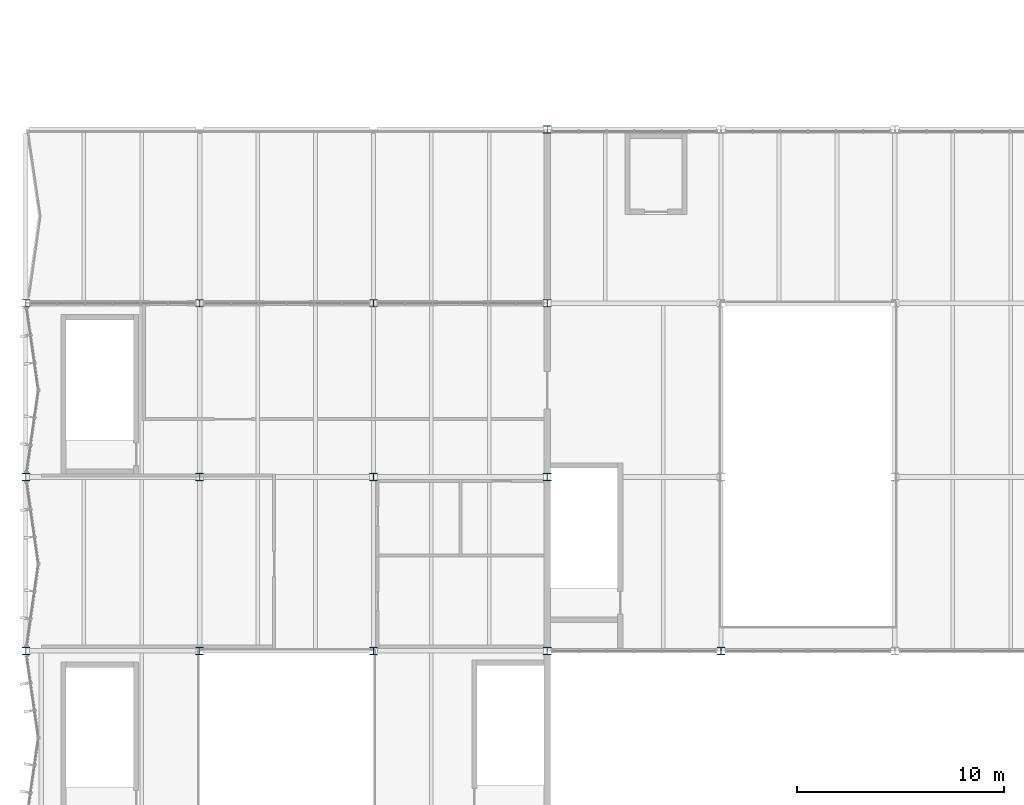
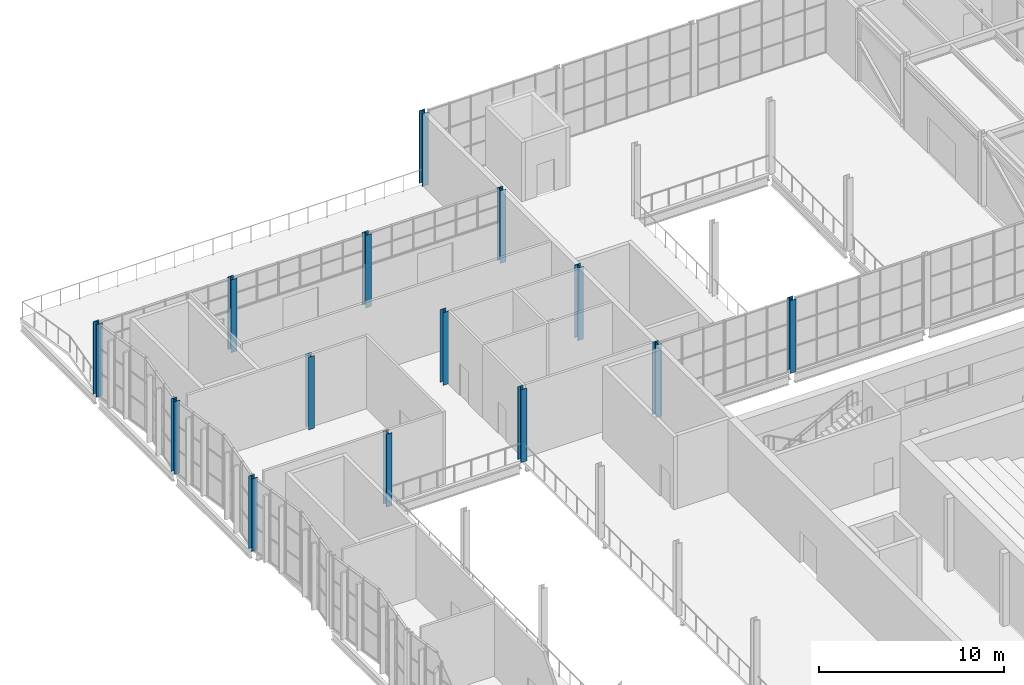
# One storey, part 9 of 116: 14 columns.
"""IFC4 building model written with IfcOpenShell, lengths in metres."""

from ifc_helpers import new_model, si_unit, direction, frame, origin, origin_2d, place, context, subcontext, project, spatial, i_section, extrude, material, material_profile, profile_set, type_object, element, save


model = new_model("IFC4")

# Units and contexts
model_context = context("Model", 3, precision=1e-05, world=origin(), true_north=direction((0.0, 1.0)))
body_context = subcontext(model_context, "Body", "Model", "MODEL_VIEW")
ifc_project = project(units=[si_unit("LENGTHUNIT", "METRE"), si_unit("AREAUNIT", "SQUARE_METRE"), si_unit("VOLUMEUNIT", "CUBIC_METRE"), si_unit("PLANEANGLEUNIT", "RADIAN"), si_unit("MASSUNIT", "GRAM", prefix="KILO")], contexts=[model_context])

# Site, building, storey
site_placement = place(None, origin())
site = spatial("IfcSite", under=ifc_project, at=site_placement, CompositionType="ELEMENT")
building_placement = place(site_placement, origin())
building = spatial("IfcBuilding", under=site, at=building_placement, Name="Ljudholm Concert House", CompositionType="ELEMENT")
storey_placement = place(building_placement, frame((0.0, 0.0, 10.199951171875)))
storey = spatial("IfcBuildingStorey", under=building, at=storey_placement, Name="L02", CompositionType="ELEMENT", Elevation=10.199951171875)

# Columns
ifc_material = material(Name="Steel ASTM A992", Category="steel")
ifc_material_profile = material_profile(ifc_material, i_section(OverallWidth=0.368408203125, OverallDepth=0.355712890625, WebThickness=0.01123046875, FlangeThickness=0.01806640625, FilletRadius=0.01513671875, at=origin_2d()), Name="W14X90")
ifc_profile_set = profile_set([ifc_material_profile], Name="Steel ASTM A992")
column_type = type_object("IfcColumnType", Name="STEEL COLUMN W14X90", PredefinedType="COLUMN", material=ifc_profile_set)
for number, where, z_axis, x_axis, name in (
    (1, (4.0, 104.800048828125, 0.0), (0.0, 0.0, 1.0), (1.0, 0.0, 0.0), "Column W14X90"),
    (2, (4.0, 113.199951171875, 0.0), (0.0, 0.0, 1.0), (1.0, 0.0, 0.0), "Column W14X90"),
    (3, (4.0, 121.60009765625, 0.0), (0.0, 0.0, 1.0), (1.0, 0.0, 0.0), "Column W14X90"),
    (4, (12.39990234375, 104.800048828125, 0.0), (0.0, 0.0, 1.0), (1.0, 0.0, 0.0), "Column W14X90"),
    (5, (12.39990234375, 113.199951171875, 0.0), (0.0, 0.0, 1.0), (1.0, 0.0, 0.0), "Column W14X90"),
    (6, (12.39990234375, 121.60009765625, 0.0), (0.0, 0.0, 1.0), (1.0, 0.0, 0.0), "Column W14X90"),
    (7, (20.800048828125, 104.800048828125, 0.0), (0.0, 0.0, 1.0), (1.0, 0.0, 0.0), "Column W14X90"),
    (8, (20.800048828125, 113.199951171875, 0.0), (0.0, 0.0, 1.0), (1.0, 0.0, 0.0), "Column W14X90"),
    (9, (20.800048828125, 121.60009765625, 0.0), (0.0, 0.0, 1.0), (1.0, 0.0, 0.0), "Column W14X90"),
    (10, (29.199951171875, 104.800048828125, 0.0), (0.0, 0.0, 1.0), (1.0, 0.0, 0.0), "Column W14X90"),
    (11, (29.199951171875, 113.199951171875, 0.0), (0.0, 0.0, 1.0), (1.0, 0.0, 0.0), "Column W14X90"),
    (12, (29.199951171875, 121.60009765625, 0.0), (0.0, 0.0, 1.0), (1.0, 0.0, 0.0), "Column W14X90"),
    (13, (29.199951171875, 130.0, 0.0), (0.0, 0.0, 1.0), (1.0, 0.0, 0.0), "Column W14X90"),
    (14, (37.60009765625, 104.800048828125, 0.0), (0.0, 0.0, 1.0), (1.0, 0.0, 0.0), "Column W14X90"),
):
    element("IfcColumn", number, at=place(storey_placement, frame(where, z_axis=z_axis, x_axis=x_axis)), inside=storey, type_object=column_type, Name=name, PredefinedType="COLUMN", context=body_context, shape_type="SweptSolid", body=[
        extrude(i_section(OverallWidth=0.368408203125, OverallDepth=0.355712890625, WebThickness=0.01123046875, FlangeThickness=0.01806640625, FilletRadius=0.01513671875, at=origin_2d()), origin(), (0.0, 0.0, 1.0), 4.800048828125),
    ])

save(model, "model.ifc")
